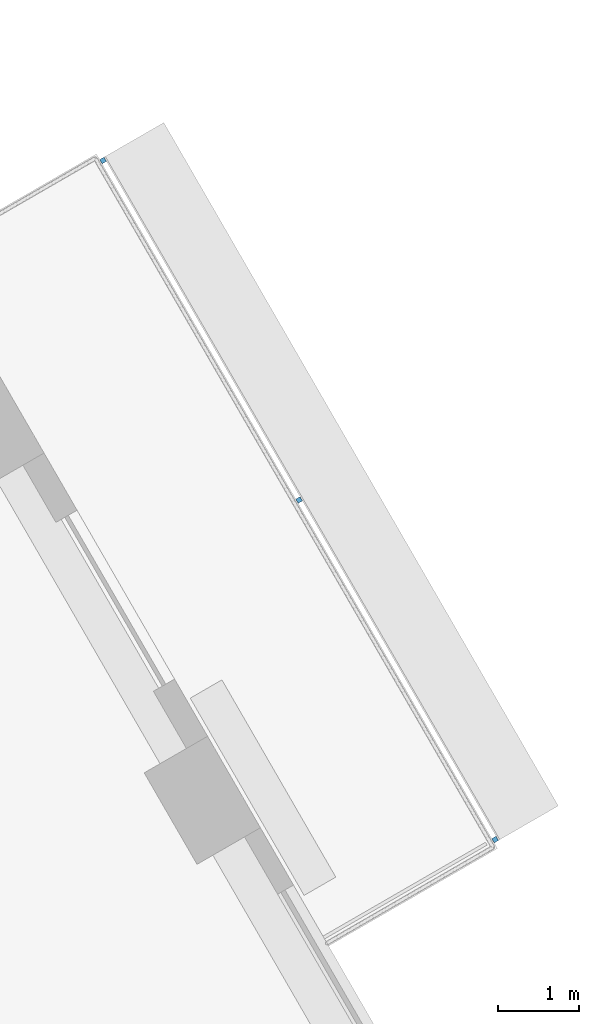
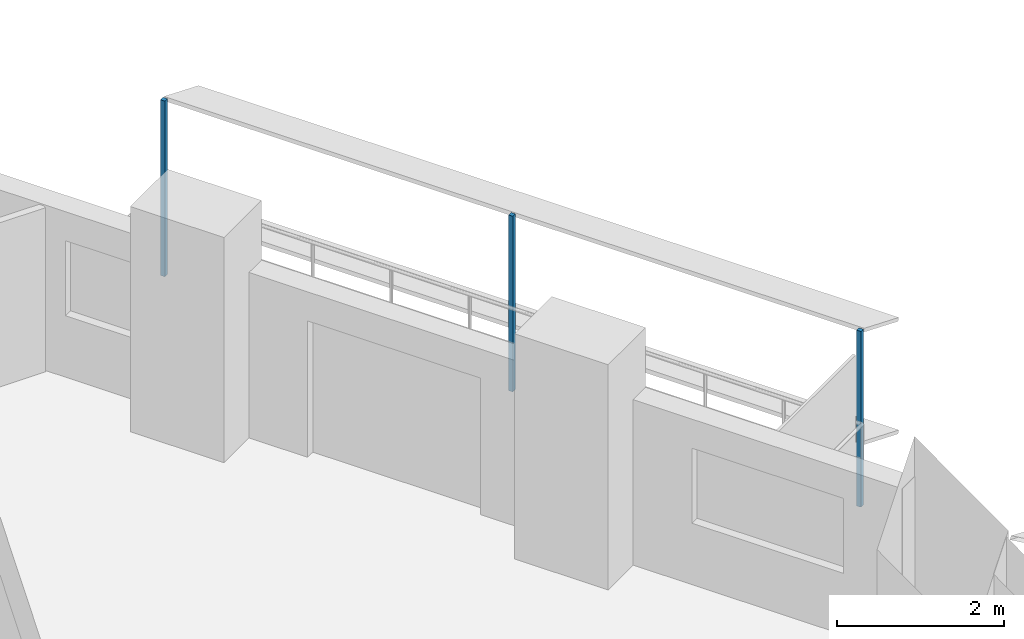
# One storey, part 11 of 14: 3 discrete accessories.
"""IFC4 building model written with IfcOpenShell, lengths in metres."""

from ifc_helpers import new_model, si_unit, direction, frame, origin, origin_2d, place, context, subcontext, project, spatial, rectangle, extrude, material, type_object, element, save


model = new_model("IFC4")

# Units and contexts
model_context = context("Model", 3, precision=1e-05, world=origin(), true_north=direction((0.0, 1.0)))
body_context = subcontext(model_context, "Body", "Model", "MODEL_VIEW")
ifc_project = project(units=[si_unit("LENGTHUNIT", "METRE"), si_unit("AREAUNIT", "SQUARE_METRE"), si_unit("VOLUMEUNIT", "CUBIC_METRE"), si_unit("PLANEANGLEUNIT", "RADIAN"), si_unit("MASSUNIT", "GRAM", prefix="KILO")], contexts=[model_context])

# Site, building, storey
site_placement = place(None, origin())
site = spatial("IfcSite", under=ifc_project, at=site_placement, CompositionType="ELEMENT")
building_placement = place(site_placement, origin())
building = spatial("IfcBuilding", under=site, at=building_placement, Name="Nakaniwa Court", CompositionType="ELEMENT")
storey_placement = place(building_placement, frame((0.0, 0.0, 160.199951171875)))
storey = spatial("IfcBuildingStorey", under=building, at=storey_placement, Name="L42", CompositionType="ELEMENT", Elevation=160.199951171875)

# Discrete accessories
ifc_material = material(Name="Black powder-coated steel bracket S275", Category="steel")
discrete_accessory_type = type_object("IfcDiscreteAccessoryType", Name="Black metal louvre bracket", PredefinedType="BRACKET", material=ifc_material)
for number, where, z_axis, x_axis, name in (
    (1, (103.91259765625, 91.442138671875, -0.229736328125), (0.0, 0.0, 1.0), (-0.500004534492, 0.866022785779, 0.0), "L42 louvre bracket 01 1"),
    (2, (101.5, 95.62109375, -0.229736328125), (0.0, 0.0, 1.0), (-0.500004534492, 0.866022785779, 0.0), "L42 louvre bracket 01 2"),
    (3, (99.087158203125, 99.800048828125, -0.229736328125), (0.0, 0.0, 1.0), (-0.500004534492, 0.866022785779, 0.0), "L42 louvre bracket 01 3"),
):
    element("IfcDiscreteAccessory", number, at=place(storey_placement, frame(where, z_axis=z_axis, x_axis=x_axis)), inside=storey, type_object=discrete_accessory_type, Name=name, PredefinedType="BRACKET", context=body_context, shape_type="SweptSolid", body=[
        extrude(rectangle(XDim=0.06005859375, YDim=0.06005859375, at=origin_2d()), origin(), (0.0, 0.0, 1.0), 2.5751953125),
    ])

save(model, "model.ifc")
